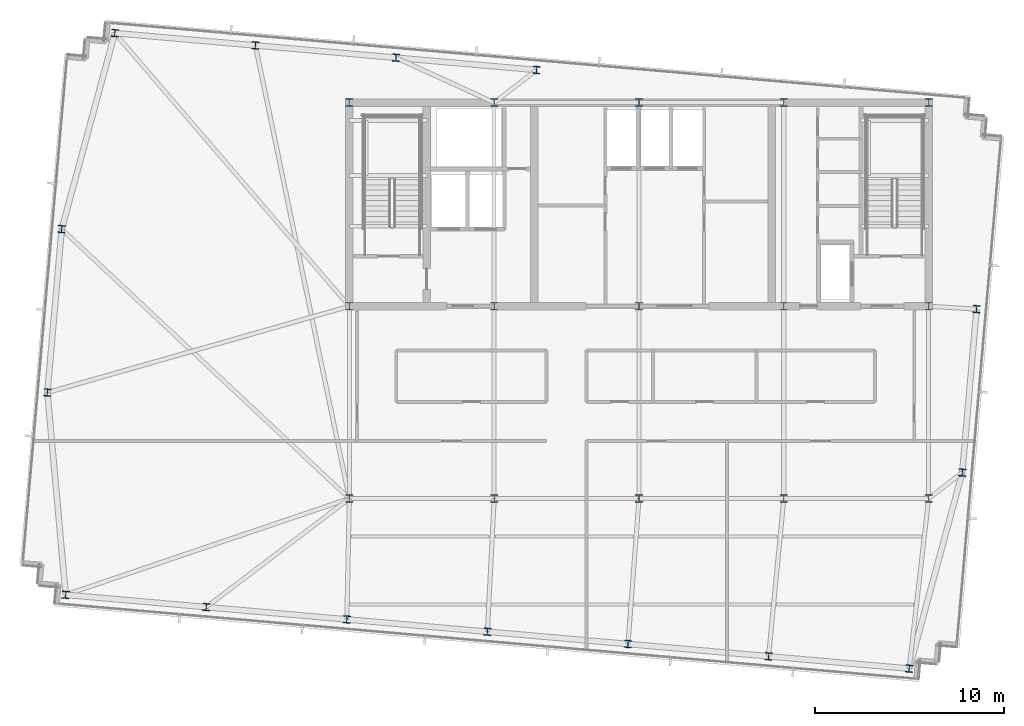
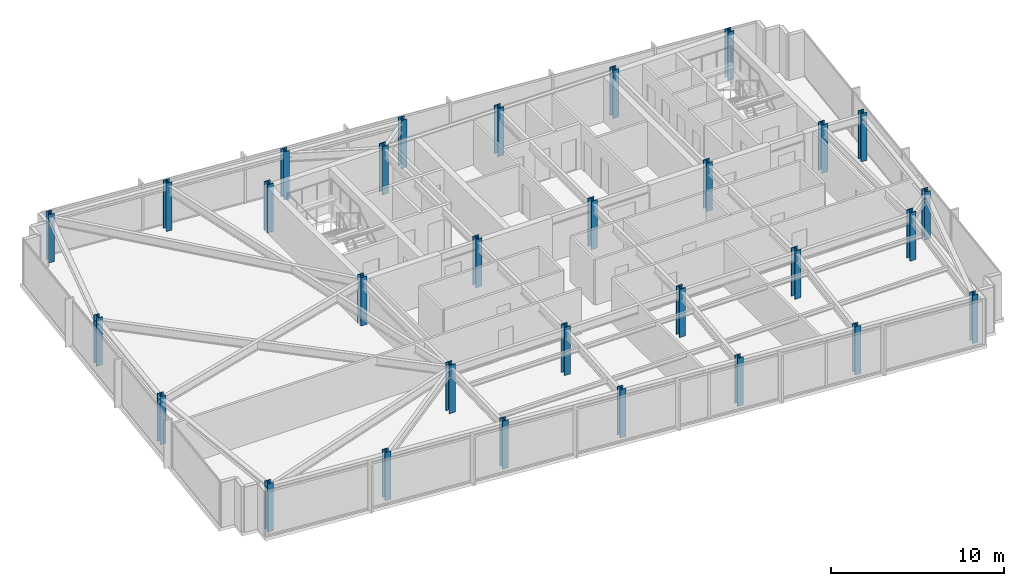
# One storey, part 1 of 32: 30 columns.
"""IFC4 building model written with IfcOpenShell, lengths in metres."""

import ifcopenshell
import ifcopenshell.guid

model = None  # the IFC model being written
_history = None  # IfcOwnerHistory: only IFC2X3 demands one
_inside = {}  # id of a spatial element -> (the spatial element, [elements in it])
_under = {}  # id of a project, library or spatial element -> (it, [spatial elements below it])
_declared = {}  # id of a project -> (the project, [libraries it declares])
_typed = {}  # id of a type object -> (the type object, [elements of that type])
_made_of = {}  # id of a material, layer set ... -> (it, [elements and type objects made of it])


def new_model(schema):
    """Start an empty IFC model of exactly this schema.

    Asked for "IFC4X3", IfcOpenShell would pick the latest addendum, in which some entities
    have other attributes; the version numbers below select the first issue.
    IFC2X3 requires an IfcOwnerHistory on every rooted entity: one is made here for all.
    """
    global model, _history
    if schema == "IFC4X3":
        model = ifcopenshell.file(schema_version=(4, 3, 0, 0))
    else:
        model = ifcopenshell.file(schema=schema)
    _inside.clear()
    _under.clear()
    _declared.clear()
    _typed.clear()
    _made_of.clear()
    _history = None
    if model.schema == "IFC2X3":
        org = make("IfcOrganization", Name="unknown")
        user = make(
            "IfcPersonAndOrganization",
            ThePerson=make("IfcPerson", FamilyName="unknown"),
            TheOrganization=org,
        )
        app = make(
            "IfcApplication",
            ApplicationDeveloper=org,
            Version="unknown",
            ApplicationFullName="unknown",
            ApplicationIdentifier="unknown",
        )
        _history = make(
            "IfcOwnerHistory",
            OwningUser=user,
            OwningApplication=app,
            ChangeAction="ADDED",
            CreationDate=0,
        )
    return model


def make(cls, **values):
    """One entity of the class cls with the attributes given. An attribute that is None is left unset."""
    return model.create_entity(
        cls, **{name: value for name, value in values.items() if value is not None}
    )


def rooted(cls, **values):
    """An entity with a GlobalId (a new one), such as an element, a storey or a relation."""
    return make(cls, GlobalId=ifcopenshell.guid.new(), OwnerHistory=_history, **values)


def si_unit(unit_type, name, prefix=None):
    """IfcSIUnit, for example si_unit("LENGTHUNIT", "METRE", prefix="MILLI")."""
    return make("IfcSIUnit", UnitType=unit_type, Prefix=prefix, Name=name)


def assignment(units):
    """IfcUnitAssignment: the units of a project."""
    return None if units is None else make("IfcUnitAssignment", Units=units)


def point(xyz):
    """IfcCartesianPoint."""
    return None if xyz is None else make("IfcCartesianPoint", Coordinates=xyz)


def direction(xyz):
    """IfcDirection."""
    return None if xyz is None else make("IfcDirection", DirectionRatios=xyz)


def frame(location, z_axis=None, x_axis=None):
    """IfcAxis2Placement3D, a coordinate frame: its origin and axes. An axis left out is left unset."""
    return make(
        "IfcAxis2Placement3D",
        Location=point(location),
        Axis=direction(z_axis),
        RefDirection=direction(x_axis),
    )


def frame_2d(location, x_axis=None):
    """IfcAxis2Placement2D, a coordinate frame in the plane: its origin and x axis."""
    return make(
        "IfcAxis2Placement2D", Location=point(location), RefDirection=direction(x_axis)
    )


def origin():
    """The frame at (0, 0, 0) with its axes left unset."""
    return frame((0.0, 0.0, 0.0))


def origin_2d():
    """The frame at (0, 0) in the plane with its x axis left unset."""
    return frame_2d((0.0, 0.0))


def place(relative_to, where):
    """IfcLocalPlacement: puts the frame where relative to a parent placement (None: the world)."""
    return make(
        "IfcLocalPlacement", PlacementRelTo=relative_to, RelativePlacement=where
    )


def context(
    kind, dimensions, precision=None, world=None, true_north=None, identifier=None
):
    """IfcGeometricRepresentationContext, for example the 3D "Model" context."""
    return make(
        "IfcGeometricRepresentationContext",
        ContextIdentifier=identifier,
        ContextType=kind,
        CoordinateSpaceDimension=dimensions,
        Precision=precision,
        WorldCoordinateSystem=world,
        TrueNorth=true_north,
    )


def subcontext(parent, identifier, kind, view, scale=None):
    """IfcGeometricRepresentationSubContext, for example "Body" below "Model"."""
    return make(
        "IfcGeometricRepresentationSubContext",
        ContextIdentifier=identifier,
        ContextType=kind,
        ParentContext=parent,
        TargetScale=scale,
        TargetView=view,
    )


def project(units=None, contexts=None):
    """IfcProject with its units and contexts."""
    return rooted(
        "IfcProject",
        Name="project",
        RepresentationContexts=contexts,
        UnitsInContext=assignment(units),
    )


def spatial(cls, under=None, at=None, **own):
    """A site, building, storey or space (cls), placed at a placement, below another one or the project."""
    s = rooted(cls, ObjectPlacement=at, **own)
    if under is not None:
        _under.setdefault(under.id(), (under, []))[1].append(s)
    return s


def profile(cls, at=None, kind="AREA", **sizes):
    """A parametric profile (cls). Its sizes go by their IFC names, for example OverallWidth=200.0."""
    return make(cls, ProfileType=kind, Position=at, **sizes)


def i_section(**sizes):
    """IfcIShapeProfileDef."""
    return profile("IfcIShapeProfileDef", **sizes)


def extrude(swept, where, along, depth):
    """IfcExtrudedAreaSolid: the profile swept, set in the frame where, extruded along a direction by depth."""
    return make(
        "IfcExtrudedAreaSolid",
        SweptArea=swept,
        Position=where,
        ExtrudedDirection=direction(along),
        Depth=depth,
    )


def shape(context_of_items, identifier, shape_type, items):
    """IfcShapeRepresentation: the items that make up one representation, for example the "Body"."""
    return make(
        "IfcShapeRepresentation",
        ContextOfItems=context_of_items,
        RepresentationIdentifier=identifier,
        RepresentationType=shape_type,
        Items=items,
    )


def material(Name=None, Category=None):
    """IfcMaterial."""
    return make("IfcMaterial", Name=Name, Category=Category)


def material_profile(
    of_material, cross_section, Name=None, Category=None, Priority=None
):
    """IfcMaterialProfile: a cross section and its material."""
    return make(
        "IfcMaterialProfile",
        Name=Name,
        Material=of_material,
        Profile=cross_section,
        Priority=Priority,
        Category=Category,
    )


def profile_set(profiles, Name=None, composite=None):
    """IfcMaterialProfileSet."""
    return make(
        "IfcMaterialProfileSet",
        Name=Name,
        MaterialProfiles=profiles,
        CompositeProfile=composite,
    )


def made_of(thing, what):
    """Note that an element or type object is made of a material, layer set ...; save() writes the relation."""
    if what is not None:
        _made_of.setdefault(what.id(), (what, []))[1].append(thing)
    return thing


def type_object(cls, material=None, **own):
    """A type object (cls), such as IfcWallType, which elements share."""
    return made_of(rooted(cls, **own), material)


def element(
    cls,
    number,
    at=None,
    inside=None,
    cuts=None,
    type_object=None,
    material=None,
    context=None,
    identifier="Body",
    shape_type=None,
    held_by="IfcProductDefinitionShape",
    body=None,
    shapes=None,
    **own,
):
    """One element of the class cls, such as IfcWall. Its Tag is "e" and its number.

    at: its placement. inside: the storey or other place that contains it. cuts: it is an
    opening in that element (IfcRelVoidsElement). A single representation is given by context,
    identifier, shape_type and body (its items); several are given by shapes. held_by: the class
    of the entity that holds the representations. save() writes the other relations.
    """
    e = rooted(cls, Tag="e%d" % number, ObjectPlacement=at, **own)
    if body is not None:
        shapes = [shape(context, identifier, shape_type, body)]
    if shapes is not None:
        e.Representation = make(held_by, Representations=shapes)
    if inside is not None:
        _inside.setdefault(inside.id(), (inside, []))[1].append(e)
    if cuts is not None:
        rooted(
            "IfcRelVoidsElement", RelatingBuildingElement=cuts, RelatedOpeningElement=e
        )
    if type_object is not None:
        _typed.setdefault(type_object.id(), (type_object, []))[1].append(e)
    return made_of(e, material)


def aggregate(whole, parts):
    """IfcRelAggregates: a whole, such as a stair, and the parts it consists of."""
    return rooted("IfcRelAggregates", RelatingObject=whole, RelatedObjects=parts)


def save(model, path):
    """Write the relations noted so far, then the file.

    IfcRelAggregates (storeys below a building ...), IfcRelContainedInSpatialStructure (elements
    in a storey), IfcRelDefinesByType, IfcRelAssociatesMaterial and IfcRelDeclares: one each for
    every whole, place, type object, material and project.
    """
    for whole, parts in _under.values():
        aggregate(whole, parts)
    for where, things in _inside.values():
        rooted(
            "IfcRelContainedInSpatialStructure",
            RelatedElements=things,
            RelatingStructure=where,
        )
    for kind, things in _typed.values():
        rooted("IfcRelDefinesByType", RelatedObjects=things, RelatingType=kind)
    for what, things in _made_of.values():
        rooted("IfcRelAssociatesMaterial", RelatedObjects=things, RelatingMaterial=what)
    for by, libraries in _declared.values():
        rooted("IfcRelDeclares", RelatingContext=by, RelatedDefinitions=libraries)
    model.write(path)


model = new_model("IFC4")

# Units and contexts
model_context = context("Model", 3, precision=1e-05, world=origin(), true_north=direction((0.0, 1.0)))
body_context = subcontext(model_context, "Body", "Model", "MODEL_VIEW")
ifc_project = project(units=[si_unit("LENGTHUNIT", "METRE"), si_unit("AREAUNIT", "SQUARE_METRE"), si_unit("VOLUMEUNIT", "CUBIC_METRE"), si_unit("PLANEANGLEUNIT", "RADIAN"), si_unit("MASSUNIT", "GRAM", prefix="KILO")], contexts=[model_context])

# Site, building, storey
site_placement = place(None, origin())
site = spatial("IfcSite", under=ifc_project, at=site_placement, CompositionType="ELEMENT")
building_placement = place(site_placement, origin())
building = spatial("IfcBuilding", under=site, at=building_placement, Name="Yelkora Congress Tower", CompositionType="ELEMENT")
storey_placement = place(building_placement, frame((0.0, 0.0, 269.300048828125)))
storey = spatial("IfcBuildingStorey", under=building, at=storey_placement, Name="L75", CompositionType="ELEMENT", Elevation=269.300048828125)

# Columns
ifc_material_1 = material(Name="Steel S355J2", Category="steel")
ifc_material_profile_1 = material_profile(ifc_material_1, i_section(OverallWidth=0.3779296875, OverallDepth=0.386962890625, WebThickness=0.0205078125, FlangeThickness=0.033203125, FilletRadius=0.014892578125, at=origin_2d()), Name="HD 360x262")
ifc_profile_set_1 = profile_set([ifc_material_profile_1], Name="Steel S355J2")
column_type_1 = type_object("IfcColumnType", Name="COL-HD-262-EXT", PredefinedType="COLUMN", material=ifc_profile_set_1)
for number, where, z_axis, x_axis, name in (
    (1, (7.998046875, 20.097900390625, 0.0), (0.0, 0.0, 1.0), (0.996194698092, -0.087155742748, 0.0), "L75 Perimeter Column S01"),
    (2, (15.452880859375, 19.445556640625, 0.0), (0.0, 0.0, 1.0), (0.996194698092, -0.087155742748, 0.0), "L75 Perimeter Column S02"),
    (3, (22.90771484375, 18.793212890625, 0.0), (0.0, 0.0, 1.0), (0.996194698092, -0.087155742748, 0.0), "L75 Perimeter Column S03"),
    (4, (30.362548828125, 18.14111328125, 0.0), (0.0, 0.0, 1.0), (0.996194698092, -0.087155742748, 0.0), "L75 Perimeter Column S04"),
    (5, (37.8173828125, 17.489013671875, 0.0), (0.0, 0.0, 1.0), (0.996194698092, -0.087155742748, 0.0), "L75 Perimeter Column S05"),
    (6, (45.2724609375, 16.836669921875, 0.0), (0.0, 0.0, 1.0), (0.996194698092, -0.087155742748, 0.0), "L75 Perimeter Column S06"),
    (7, (52.727294921875, 16.1845703125, 0.0), (0.0, 0.0, 1.0), (0.996194698092, -0.087155742748, 0.0), "L75 Perimeter Column S07"),
    (8, (10.60400390625, 49.884033203125, 0.0), (0.0, 0.0, 1.0), (0.996194698092, -0.087155742748, 0.0), "L75 Perimeter Column N01"),
    (9, (18.058837890625, 49.231689453125, 0.0), (0.0, 0.0, 1.0), (0.996194698092, -0.087155742748, 0.0), "L75 Perimeter Column N02"),
    (10, (25.513916015625, 48.57958984375, 0.0), (0.0, 0.0, 1.0), (0.996194698092, -0.087155742748, 0.0), "L75 Perimeter Column N03"),
    (11, (32.968505859375, 47.927490234375, 0.0), (0.0, 0.0, 1.0), (0.996194698092, -0.087155742748, 0.0), "L75 Perimeter Column N04"),
    (12, (7.029052734375, 30.822998046875, 0.0), (0.0, 0.0, 1.0), (0.996194698092, -0.087155742748, 0.0), "L75 Perimeter Column W01"),
    (13, (55.543701171875, 26.57861328125, 0.0), (0.0, 0.0, 1.0), (0.996194698092, -0.087155742748, 0.0), "L75 Perimeter Column E01"),
    (14, (7.787353515625, 39.489990234375, 0.0), (0.0, 0.0, 1.0), (0.996194698092, -0.087155742748, 0.0), "L75 Perimeter Column W02"),
    (15, (56.302001953125, 35.24560546875, 0.0), (0.0, 0.0, 1.0), (0.996194698092, -0.087155742748, 0.0), "L75 Perimeter Column E02"),
):
    element("IfcColumn", number, at=place(storey_placement, frame(where, z_axis=z_axis, x_axis=x_axis)), inside=storey, type_object=column_type_1, Name=name, PredefinedType="COLUMN", context=body_context, shape_type="SweptSolid", body=[
        extrude(i_section(OverallWidth=0.3779296875, OverallDepth=0.386962890625, WebThickness=0.0205078125, FlangeThickness=0.033203125, FilletRadius=0.014892578125, at=origin_2d()), origin(), (0.0, 0.0, 1.0), 3.39990234375),
    ])
ifc_material_2 = material(Name="Steel S460M", Category="steel")
ifc_material_profile_2 = material_profile(ifc_material_2, i_section(OverallWidth=0.406005859375, OverallDepth=0.416015625, WebThickness=0.02978515625, FlangeThickness=0.048095703125, FilletRadius=0.014892578125, at=origin_2d()), Name="HD 400x382")
ifc_profile_set_2 = profile_set([ifc_material_profile_2], Name="Steel S460M")
column_type_2 = type_object("IfcColumnType", Name="COL-HD-382", PredefinedType="COLUMN", material=ifc_profile_set_2)
for number, where, z_axis, x_axis, name in (
    (16, (23.0400390625, 35.39990234375, 0.0), (0.0, 0.0, 1.0), (1.0, 0.0, 0.0), "L75 Mega Column MC-S1"),
    (17, (23.0400390625, 46.199951171875, 0.0), (0.0, 0.0, 1.0), (1.0, 0.0, 0.0), "L75 Mega Column MC-N1"),
    (18, (23.0400390625, 25.199951171875, 0.0), (0.0, 0.0, 1.0), (1.0, 0.0, 0.0), "L75 Mega Column MC-D1"),
    (19, (30.719970703125, 35.39990234375, 0.0), (0.0, 0.0, 1.0), (1.0, 0.0, 0.0), "L75 Mega Column MC-S2"),
    (20, (30.719970703125, 46.199951171875, 0.0), (0.0, 0.0, 1.0), (1.0, 0.0, 0.0), "L75 Mega Column MC-N2"),
    (21, (30.719970703125, 25.199951171875, 0.0), (0.0, 0.0, 1.0), (1.0, 0.0, 0.0), "L75 Mega Column MC-D2"),
    (22, (38.39990234375, 35.39990234375, 0.0), (0.0, 0.0, 1.0), (1.0, 0.0, 0.0), "L75 Mega Column MC-S3"),
    (23, (38.39990234375, 46.199951171875, 0.0), (0.0, 0.0, 1.0), (1.0, 0.0, 0.0), "L75 Mega Column MC-N3"),
    (24, (38.39990234375, 25.199951171875, 0.0), (0.0, 0.0, 1.0), (1.0, 0.0, 0.0), "L75 Mega Column MC-D3"),
    (25, (46.080078125, 35.39990234375, 0.0), (0.0, 0.0, 1.0), (1.0, 0.0, 0.0), "L75 Mega Column MC-S4"),
    (26, (46.080078125, 46.199951171875, 0.0), (0.0, 0.0, 1.0), (1.0, 0.0, 0.0), "L75 Mega Column MC-N4"),
    (27, (46.080078125, 25.199951171875, 0.0), (0.0, 0.0, 1.0), (1.0, 0.0, 0.0), "L75 Mega Column MC-D4"),
    (28, (53.760009765625, 35.39990234375, 0.0), (0.0, 0.0, 1.0), (1.0, 0.0, 0.0), "L75 Mega Column MC-S5"),
    (29, (53.760009765625, 46.199951171875, 0.0), (0.0, 0.0, 1.0), (1.0, 0.0, 0.0), "L75 Mega Column MC-N5"),
    (30, (53.760009765625, 25.199951171875, 0.0), (0.0, 0.0, 1.0), (1.0, 0.0, 0.0), "L75 Mega Column MC-D5"),
):
    element("IfcColumn", number, at=place(storey_placement, frame(where, z_axis=z_axis, x_axis=x_axis)), inside=storey, type_object=column_type_2, Name=name, PredefinedType="COLUMN", context=body_context, shape_type="SweptSolid", body=[
        extrude(i_section(OverallWidth=0.406005859375, OverallDepth=0.416015625, WebThickness=0.02978515625, FlangeThickness=0.048095703125, FilletRadius=0.014892578125, at=origin_2d()), origin(), (0.0, 0.0, 1.0), 3.39990234375),
    ])

save(model, "model.ifc")
